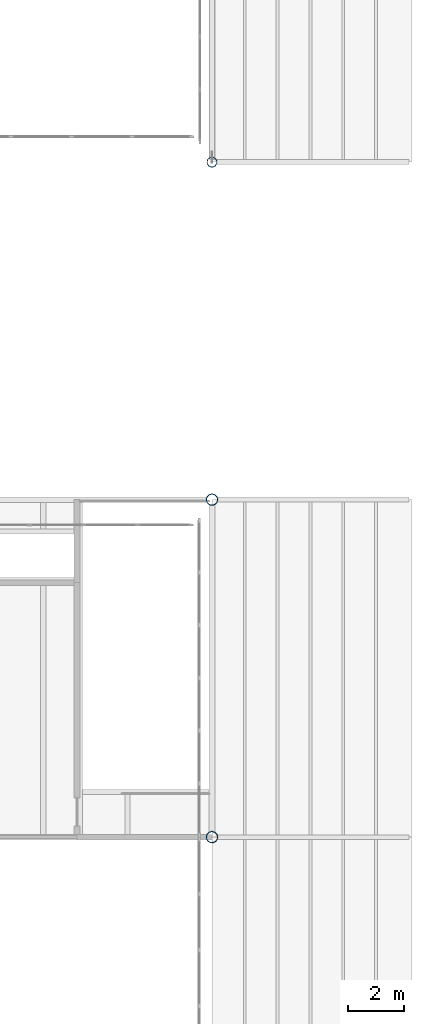
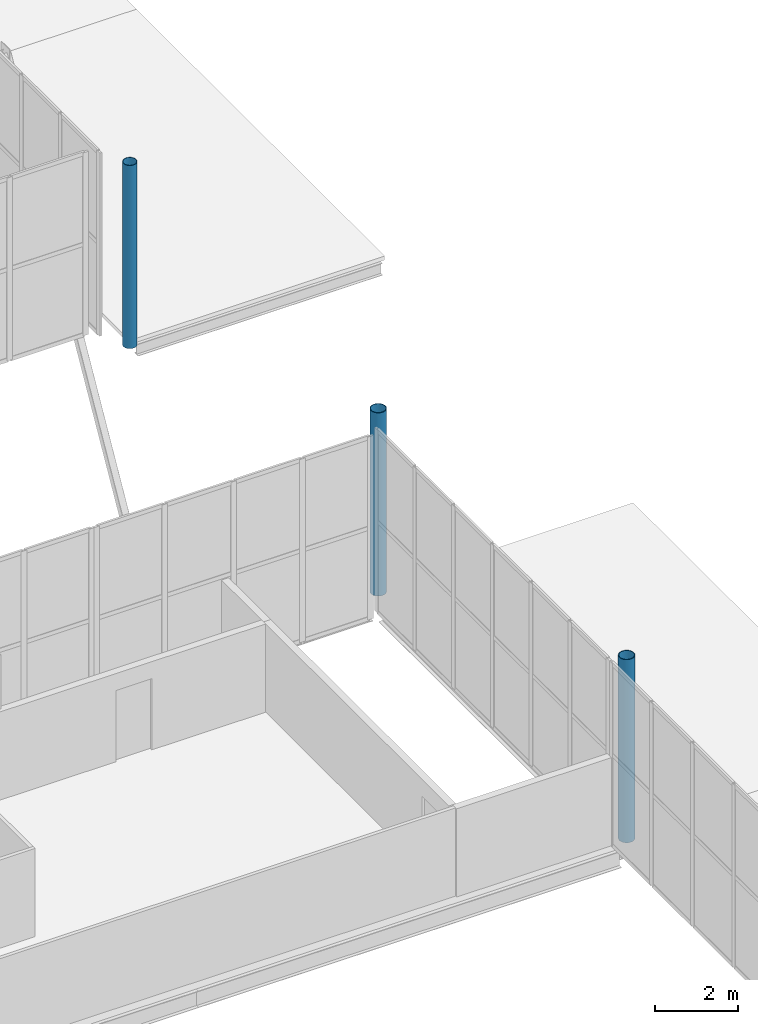
# One storey, part 17 of 170: 3 columns.
"""IFC4 building model written with IfcOpenShell, lengths in metres."""

from ifc_helpers import new_model, si_unit, direction, frame, origin, origin_2d, place, context, subcontext, project, spatial, hollow_circle, extrude, material, material_profile, profile_set, type_object, element, save


model = new_model("IFC4")

# Units and contexts
model_context = context("Model", 3, precision=1e-05, world=origin(), true_north=direction((0.0, 1.0)))
body_context = subcontext(model_context, "Body", "Model", "MODEL_VIEW")
ifc_project = project(units=[si_unit("LENGTHUNIT", "METRE"), si_unit("AREAUNIT", "SQUARE_METRE"), si_unit("VOLUMEUNIT", "CUBIC_METRE"), si_unit("PLANEANGLEUNIT", "RADIAN"), si_unit("MASSUNIT", "GRAM", prefix="KILO")], contexts=[model_context])

# Site, building, storey
site_placement = place(None, origin())
site = spatial("IfcSite", under=ifc_project, at=site_placement, CompositionType="ELEMENT")
building_placement = place(site_placement, origin())
building = spatial("IfcBuilding", under=site, at=building_placement, Name="Ravi Spectrum Wholesale Market", CompositionType="ELEMENT")
storey_placement = place(building_placement, frame((0.0, 0.0, 5.39990234375)))
storey = spatial("IfcBuildingStorey", under=building, at=storey_placement, Name="L01", CompositionType="ELEMENT", Elevation=5.39990234375)

# Columns
ifc_material_1 = material(Name="Steel S355", Category="steel")
ifc_material_profile_1 = material_profile(ifc_material_1, hollow_circle(Radius=0.177734375, WallThickness=0.012451171875, at=origin_2d()))
ifc_profile_set_1 = profile_set([ifc_material_profile_1], Name="Steel S355")
column_type_1 = type_object("IfcColumnType", Name="CHS 355.6x12.5 column", PredefinedType="COLUMN", material=ifc_profile_set_1)
column_placement = place(storey_placement, frame((198.0, 138.0, 0.0), z_axis=(0.0, 0.0, 1.0), x_axis=(1.0, 0.0, 0.0)))
element("IfcColumn", 1, at=column_placement, inside=storey, type_object=column_type_1, Name="H3-COL-L01-006", PredefinedType="COLUMN", context=body_context, shape_type="SweptSolid", body=[
    extrude(hollow_circle(Radius=0.177734375, WallThickness=0.012451171875, at=origin_2d()), origin(), (0.0, 0.0, 1.0), 5.400146484375),
])
ifc_material_2 = material(Name="Steel S355", Category="steel")
ifc_material_profile_2 = material_profile(ifc_material_2, hollow_circle(Radius=0.203125, WallThickness=0.01611328125, at=origin_2d()))
ifc_profile_set_2 = profile_set([ifc_material_profile_2], Name="Steel S355")
column_type_2 = type_object("IfcColumnType", Name="CHS 406.4x16 column", PredefinedType="COLUMN", material=ifc_profile_set_2)
for number, where, z_axis, x_axis, name in (
    (2, (198.0, 114.0, 0.0), (0.0, 0.0, 1.0), (1.0, 0.0, 0.0), "H2-COL-L01-009"),
    (3, (198.0, 126.0, 0.0), (0.0, 0.0, 1.0), (1.0, 0.0, 0.0), "H2-COL-L01-010"),
):
    element("IfcColumn", number, at=place(storey_placement, frame(where, z_axis=z_axis, x_axis=x_axis)), inside=storey, type_object=column_type_2, Name=name, PredefinedType="COLUMN", context=body_context, shape_type="SweptSolid", body=[
        extrude(hollow_circle(Radius=0.203125, WallThickness=0.01611328125, at=origin_2d()), origin(), (0.0, 0.0, 1.0), 5.400146484375),
    ])

save(model, "model.ifc")
